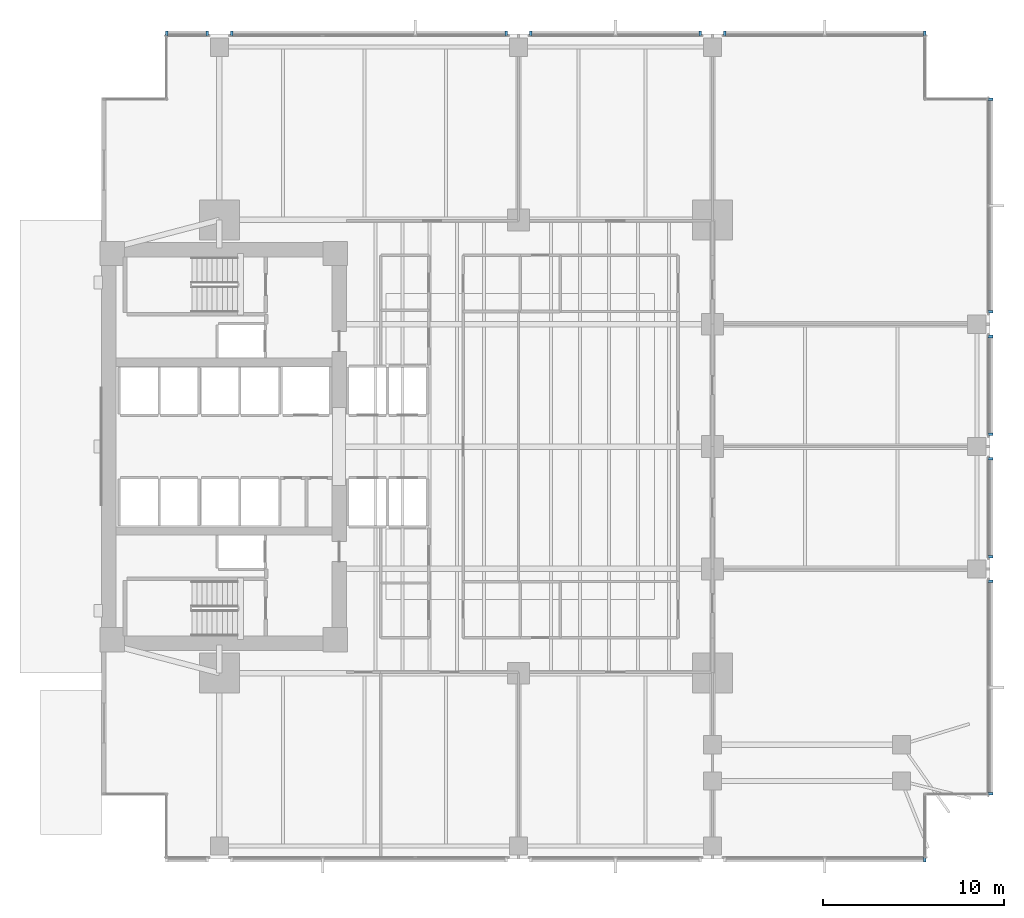
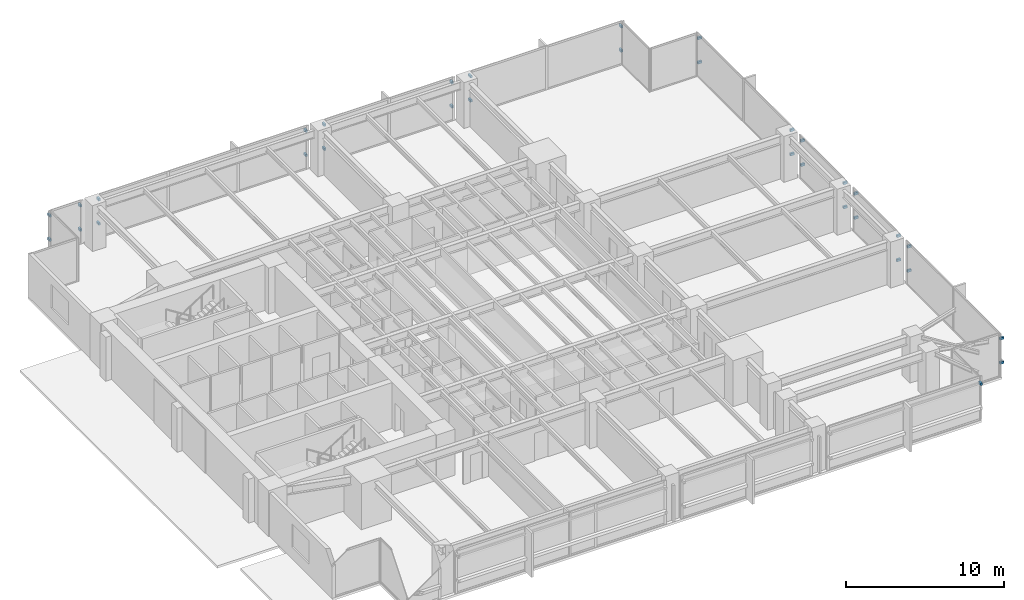
# One storey, part 12 of 16: 33 discrete accessories.
"""IFC4 building model written with IfcOpenShell, lengths in metres."""

from ifc_helpers import new_model, si_unit, direction, frame, origin, origin_2d, place, context, subcontext, project, spatial, rectangle, extrude, material, type_object, element, save


model = new_model("IFC4")

# Units and contexts
model_context = context("Model", 3, precision=1e-05, world=origin(), true_north=direction((0.0, 1.0)))
body_context = subcontext(model_context, "Body", "Model", "MODEL_VIEW")
ifc_project = project(units=[si_unit("LENGTHUNIT", "METRE"), si_unit("AREAUNIT", "SQUARE_METRE"), si_unit("VOLUMEUNIT", "CUBIC_METRE"), si_unit("PLANEANGLEUNIT", "RADIAN"), si_unit("MASSUNIT", "GRAM", prefix="KILO")], contexts=[model_context])

# Site, building, storey
site_placement = place(None, origin())
site = spatial("IfcSite", under=ifc_project, at=site_placement, CompositionType="ELEMENT")
building_placement = place(site_placement, origin())
building = spatial("IfcBuilding", under=site, at=building_placement, Name="Kinhvarn Gate Tower", CompositionType="ELEMENT")
storey_placement = place(building_placement, frame((0.0, 0.0, 25.60009765625)))
storey = spatial("IfcBuildingStorey", under=building, at=storey_placement, Name="L05", CompositionType="ELEMENT", Elevation=25.60009765625)

# Discrete accessories
ifc_material = material(Name="Anodised aluminium AW-6063", Category="aluminium")
discrete_accessory_type = type_object("IfcDiscreteAccessoryType", Name="ACC-BRK-01", PredefinedType="BRACKET", material=ifc_material)
for number, where, z_axis, x_axis, name in (
    (1, (49.89990234375, 2.4599609375, 2.830078125), (0.0, 0.0, 1.0), (1.0, 0.0, 0.0), "Baguette Support Bracket BK-01 (L05)"),
    (2, (49.89990234375, 48.0400390625, 0.9599609375), (0.0, 0.0, 1.0), (-1.0, 0.0, 0.0), "Baguette Support Bracket BK-01 (L05)"),
    (3, (49.89990234375, 48.0400390625, 2.830078125), (0.0, 0.0, 1.0), (-1.0, 0.0, 0.0), "Baguette Support Bracket BK-01 (L05)"),
    (4, (38.8798828125, 48.0400390625, 0.9599609375), (0.0, 0.0, 1.0), (-1.0, 0.0, 0.0), "Baguette Support Bracket BK-01 (L05)"),
    (5, (38.8798828125, 48.0400390625, 2.830078125), (0.0, 0.0, 1.0), (-1.0, 0.0, 0.0), "Baguette Support Bracket BK-01 (L05)"),
    (6, (37.52001953125, 48.0400390625, 0.9599609375), (0.0, 0.0, 1.0), (-1.0, 0.0, 0.0), "Baguette Support Bracket BK-01 (L05)"),
    (7, (37.52001953125, 48.0400390625, 2.830078125), (0.0, 0.0, 1.0), (-1.0, 0.0, 0.0), "Baguette Support Bracket BK-01 (L05)"),
    (8, (28.179931640625, 48.0400390625, 0.9599609375), (0.0, 0.0, 1.0), (-1.0, 0.0, 0.0), "Baguette Support Bracket BK-01 (L05)"),
    (9, (28.179931640625, 48.0400390625, 2.830078125), (0.0, 0.0, 1.0), (-1.0, 0.0, 0.0), "Baguette Support Bracket BK-01 (L05)"),
    (10, (26.820068359375, 48.0400390625, 0.9599609375), (0.0, 0.0, 1.0), (-1.0, 0.0, 0.0), "Baguette Support Bracket BK-01 (L05)"),
    (11, (26.820068359375, 48.0400390625, 2.830078125), (0.0, 0.0, 1.0), (-1.0, 0.0, 0.0), "Baguette Support Bracket BK-01 (L05)"),
    (12, (11.679931640625, 48.0400390625, 0.9599609375), (0.0, 0.0, 1.0), (-1.0, 0.0, 0.0), "Baguette Support Bracket BK-01 (L05)"),
    (13, (11.679931640625, 48.0400390625, 2.830078125), (0.0, 0.0, 1.0), (-1.0, 0.0, 0.0), "Baguette Support Bracket BK-01 (L05)"),
    (14, (10.320068359375, 48.0400390625, 0.9599609375), (0.0, 0.0, 1.0), (-1.0, 0.0, 0.0), "Baguette Support Bracket BK-01 (L05)"),
    (15, (10.320068359375, 48.0400390625, 2.830078125), (0.0, 0.0, 1.0), (-1.0, 0.0, 0.0), "Baguette Support Bracket BK-01 (L05)"),
    (16, (8.10009765625, 48.0400390625, 0.9599609375), (0.0, 0.0, 1.0), (-1.0, 0.0, 0.0), "Baguette Support Bracket BK-01 (L05)"),
    (17, (8.10009765625, 48.0400390625, 2.830078125), (0.0, 0.0, 1.0), (-1.0, 0.0, 0.0), "Baguette Support Bracket BK-01 (L05)"),
    (18, (53.5400390625, 6.10009765625, 0.9599609375), (0.0, 0.0, 1.0), (0.0, 1.0, 0.0), "Baguette Support Bracket BK-01 (L05)"),
    (19, (53.5400390625, 6.10009765625, 2.830078125), (0.0, 0.0, 1.0), (0.0, 1.0, 0.0), "Baguette Support Bracket BK-01 (L05)"),
    (20, (53.5400390625, 17.820068359375, 0.9599609375), (0.0, 0.0, 1.0), (0.0, 1.0, 0.0), "Baguette Support Bracket BK-01 (L05)"),
    (21, (53.5400390625, 17.820068359375, 2.830078125), (0.0, 0.0, 1.0), (0.0, 1.0, 0.0), "Baguette Support Bracket BK-01 (L05)"),
    (22, (53.5400390625, 19.179931640625, 0.9599609375), (0.0, 0.0, 1.0), (0.0, 1.0, 0.0), "Baguette Support Bracket BK-01 (L05)"),
    (23, (53.5400390625, 19.179931640625, 2.830078125), (0.0, 0.0, 1.0), (0.0, 1.0, 0.0), "Baguette Support Bracket BK-01 (L05)"),
    (24, (53.5400390625, 24.570068359375, 0.9599609375), (0.0, 0.0, 1.0), (0.0, 1.0, 0.0), "Baguette Support Bracket BK-01 (L05)"),
    (25, (53.5400390625, 24.570068359375, 2.830078125), (0.0, 0.0, 1.0), (0.0, 1.0, 0.0), "Baguette Support Bracket BK-01 (L05)"),
    (26, (53.5400390625, 25.929931640625, 0.9599609375), (0.0, 0.0, 1.0), (0.0, 1.0, 0.0), "Baguette Support Bracket BK-01 (L05)"),
    (27, (53.5400390625, 25.929931640625, 2.830078125), (0.0, 0.0, 1.0), (0.0, 1.0, 0.0), "Baguette Support Bracket BK-01 (L05)"),
    (28, (53.5400390625, 31.320068359375, 0.9599609375), (0.0, 0.0, 1.0), (0.0, 1.0, 0.0), "Baguette Support Bracket BK-01 (L05)"),
    (29, (53.5400390625, 31.320068359375, 2.830078125), (0.0, 0.0, 1.0), (0.0, 1.0, 0.0), "Baguette Support Bracket BK-01 (L05)"),
    (30, (53.5400390625, 32.679931640625, 0.9599609375), (0.0, 0.0, 1.0), (0.0, 1.0, 0.0), "Baguette Support Bracket BK-01 (L05)"),
    (31, (53.5400390625, 32.679931640625, 2.830078125), (0.0, 0.0, 1.0), (0.0, 1.0, 0.0), "Baguette Support Bracket BK-01 (L05)"),
    (32, (53.5400390625, 44.39990234375, 0.9599609375), (0.0, 0.0, 1.0), (0.0, 1.0, 0.0), "Baguette Support Bracket BK-01 (L05)"),
    (33, (53.5400390625, 44.39990234375, 2.830078125), (0.0, 0.0, 1.0), (0.0, 1.0, 0.0), "Baguette Support Bracket BK-01 (L05)"),
):
    element("IfcDiscreteAccessory", number, at=place(storey_placement, frame(where, z_axis=z_axis, x_axis=x_axis)), inside=storey, type_object=discrete_accessory_type, Name=name, PredefinedType="BRACKET", context=body_context, shape_type="SweptSolid", body=[
        extrude(rectangle(XDim=0.139892578125, YDim=0.280029296875, at=origin_2d()), origin(), (0.0, 0.0, 1.0), 0.179931640625),
    ])

save(model, "model.ifc")
